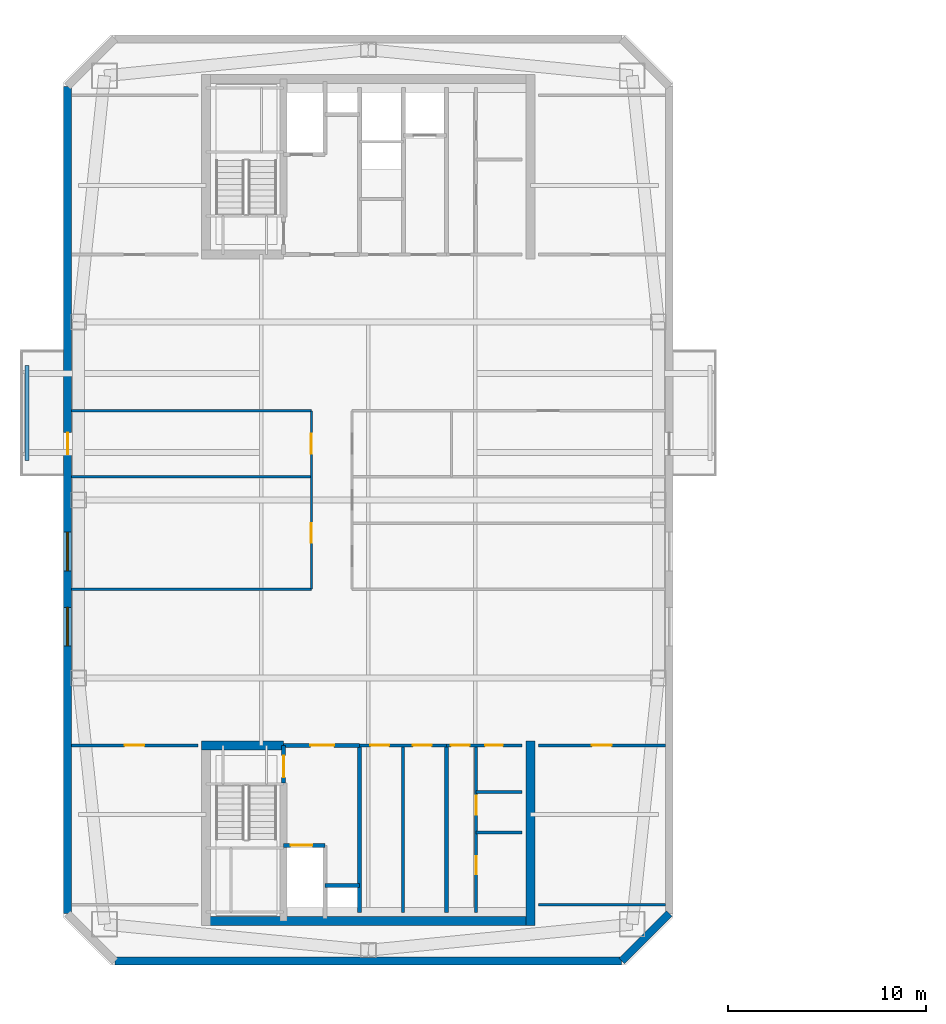
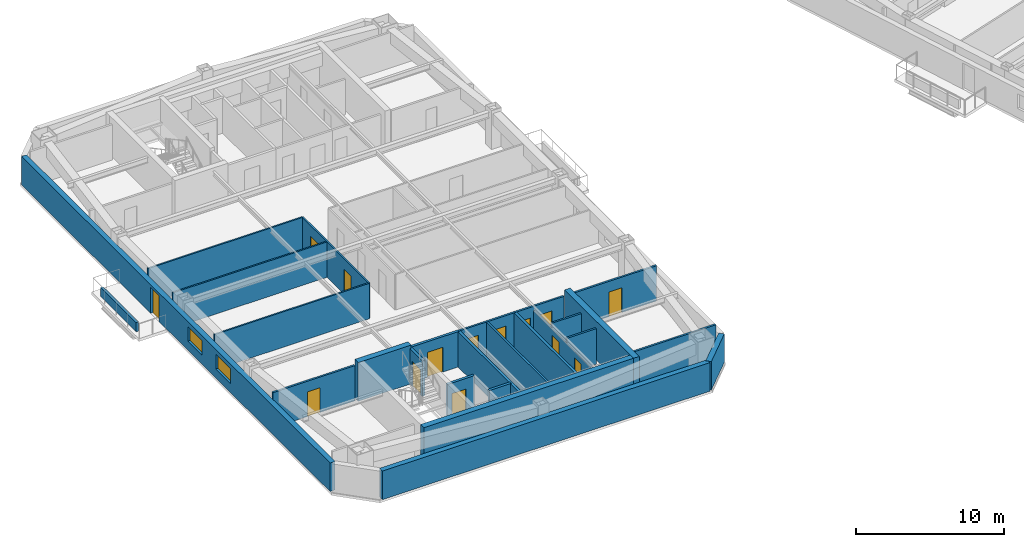
# One storey, part 6 of 16: 26 walls, 14 doors, 2 windows, 16 openings.
"""IFC4 building model written with IfcOpenShell, lengths in metres."""

import ifcopenshell
import ifcopenshell.guid

model = None  # the IFC model being written
_history = None  # IfcOwnerHistory: only IFC2X3 demands one
_inside = {}  # id of a spatial element -> (the spatial element, [elements in it])
_under = {}  # id of a project, library or spatial element -> (it, [spatial elements below it])
_declared = {}  # id of a project -> (the project, [libraries it declares])
_typed = {}  # id of a type object -> (the type object, [elements of that type])
_made_of = {}  # id of a material, layer set ... -> (it, [elements and type objects made of it])


def new_model(schema):
    """Start an empty IFC model of exactly this schema.

    Asked for "IFC4X3", IfcOpenShell would pick the latest addendum, in which some entities
    have other attributes; the version numbers below select the first issue.
    IFC2X3 requires an IfcOwnerHistory on every rooted entity: one is made here for all.
    """
    global model, _history
    if schema == "IFC4X3":
        model = ifcopenshell.file(schema_version=(4, 3, 0, 0))
    else:
        model = ifcopenshell.file(schema=schema)
    _inside.clear()
    _under.clear()
    _declared.clear()
    _typed.clear()
    _made_of.clear()
    _history = None
    if model.schema == "IFC2X3":
        org = make("IfcOrganization", Name="unknown")
        user = make(
            "IfcPersonAndOrganization",
            ThePerson=make("IfcPerson", FamilyName="unknown"),
            TheOrganization=org,
        )
        app = make(
            "IfcApplication",
            ApplicationDeveloper=org,
            Version="unknown",
            ApplicationFullName="unknown",
            ApplicationIdentifier="unknown",
        )
        _history = make(
            "IfcOwnerHistory",
            OwningUser=user,
            OwningApplication=app,
            ChangeAction="ADDED",
            CreationDate=0,
        )
    return model


def make(cls, **values):
    """One entity of the class cls with the attributes given. An attribute that is None is left unset."""
    return model.create_entity(
        cls, **{name: value for name, value in values.items() if value is not None}
    )


def rooted(cls, **values):
    """An entity with a GlobalId (a new one), such as an element, a storey or a relation."""
    return make(cls, GlobalId=ifcopenshell.guid.new(), OwnerHistory=_history, **values)


def si_unit(unit_type, name, prefix=None):
    """IfcSIUnit, for example si_unit("LENGTHUNIT", "METRE", prefix="MILLI")."""
    return make("IfcSIUnit", UnitType=unit_type, Prefix=prefix, Name=name)


def assignment(units):
    """IfcUnitAssignment: the units of a project."""
    return None if units is None else make("IfcUnitAssignment", Units=units)


def point(xyz):
    """IfcCartesianPoint."""
    return None if xyz is None else make("IfcCartesianPoint", Coordinates=xyz)


def direction(xyz):
    """IfcDirection."""
    return None if xyz is None else make("IfcDirection", DirectionRatios=xyz)


def frame(location, z_axis=None, x_axis=None):
    """IfcAxis2Placement3D, a coordinate frame: its origin and axes. An axis left out is left unset."""
    return make(
        "IfcAxis2Placement3D",
        Location=point(location),
        Axis=direction(z_axis),
        RefDirection=direction(x_axis),
    )


def frame_2d(location, x_axis=None):
    """IfcAxis2Placement2D, a coordinate frame in the plane: its origin and x axis."""
    return make(
        "IfcAxis2Placement2D", Location=point(location), RefDirection=direction(x_axis)
    )


def origin():
    """The frame at (0, 0, 0) with its axes left unset."""
    return frame((0.0, 0.0, 0.0))


def place(relative_to, where):
    """IfcLocalPlacement: puts the frame where relative to a parent placement (None: the world)."""
    return make(
        "IfcLocalPlacement", PlacementRelTo=relative_to, RelativePlacement=where
    )


def context(
    kind, dimensions, precision=None, world=None, true_north=None, identifier=None
):
    """IfcGeometricRepresentationContext, for example the 3D "Model" context."""
    return make(
        "IfcGeometricRepresentationContext",
        ContextIdentifier=identifier,
        ContextType=kind,
        CoordinateSpaceDimension=dimensions,
        Precision=precision,
        WorldCoordinateSystem=world,
        TrueNorth=true_north,
    )


def subcontext(parent, identifier, kind, view, scale=None):
    """IfcGeometricRepresentationSubContext, for example "Body" below "Model"."""
    return make(
        "IfcGeometricRepresentationSubContext",
        ContextIdentifier=identifier,
        ContextType=kind,
        ParentContext=parent,
        TargetScale=scale,
        TargetView=view,
    )


def project(units=None, contexts=None):
    """IfcProject with its units and contexts."""
    return rooted(
        "IfcProject",
        Name="project",
        RepresentationContexts=contexts,
        UnitsInContext=assignment(units),
    )


def spatial(cls, under=None, at=None, **own):
    """A site, building, storey or space (cls), placed at a placement, below another one or the project."""
    s = rooted(cls, ObjectPlacement=at, **own)
    if under is not None:
        _under.setdefault(under.id(), (under, []))[1].append(s)
    return s


def profile(cls, at=None, kind="AREA", **sizes):
    """A parametric profile (cls). Its sizes go by their IFC names, for example OverallWidth=200.0."""
    return make(cls, ProfileType=kind, Position=at, **sizes)


def rectangle(**sizes):
    """IfcRectangleProfileDef."""
    return profile("IfcRectangleProfileDef", **sizes)


def extrude(swept, where, along, depth):
    """IfcExtrudedAreaSolid: the profile swept, set in the frame where, extruded along a direction by depth."""
    return make(
        "IfcExtrudedAreaSolid",
        SweptArea=swept,
        Position=where,
        ExtrudedDirection=direction(along),
        Depth=depth,
    )


def shape(context_of_items, identifier, shape_type, items):
    """IfcShapeRepresentation: the items that make up one representation, for example the "Body"."""
    return make(
        "IfcShapeRepresentation",
        ContextOfItems=context_of_items,
        RepresentationIdentifier=identifier,
        RepresentationType=shape_type,
        Items=items,
    )


def material(Name=None, Category=None):
    """IfcMaterial."""
    return make("IfcMaterial", Name=Name, Category=Category)


def layer(
    of_material, thickness, ventilated=None, Name=None, Category=None, Priority=None
):
    """IfcMaterialLayer: one layer of a wall or slab, of a material (None: an air gap)."""
    return make(
        "IfcMaterialLayer",
        Material=of_material,
        LayerThickness=thickness,
        IsVentilated=ventilated,
        Name=Name,
        Category=Category,
        Priority=Priority,
    )


def layer_set(layers, Name=None):
    """IfcMaterialLayerSet."""
    return make("IfcMaterialLayerSet", MaterialLayers=layers, LayerSetName=Name)


def made_of(thing, what):
    """Note that an element or type object is made of a material, layer set ...; save() writes the relation."""
    if what is not None:
        _made_of.setdefault(what.id(), (what, []))[1].append(thing)
    return thing


def type_object(cls, material=None, **own):
    """A type object (cls), such as IfcWallType, which elements share."""
    return made_of(rooted(cls, **own), material)


def element(
    cls,
    number,
    at=None,
    inside=None,
    cuts=None,
    type_object=None,
    material=None,
    context=None,
    identifier="Body",
    shape_type=None,
    held_by="IfcProductDefinitionShape",
    body=None,
    shapes=None,
    **own,
):
    """One element of the class cls, such as IfcWall. Its Tag is "e" and its number.

    at: its placement. inside: the storey or other place that contains it. cuts: it is an
    opening in that element (IfcRelVoidsElement). A single representation is given by context,
    identifier, shape_type and body (its items); several are given by shapes. held_by: the class
    of the entity that holds the representations. save() writes the other relations.
    """
    e = rooted(cls, Tag="e%d" % number, ObjectPlacement=at, **own)
    if body is not None:
        shapes = [shape(context, identifier, shape_type, body)]
    if shapes is not None:
        e.Representation = make(held_by, Representations=shapes)
    if inside is not None:
        _inside.setdefault(inside.id(), (inside, []))[1].append(e)
    if cuts is not None:
        rooted(
            "IfcRelVoidsElement", RelatingBuildingElement=cuts, RelatedOpeningElement=e
        )
    if type_object is not None:
        _typed.setdefault(type_object.id(), (type_object, []))[1].append(e)
    return made_of(e, material)


def fill(opening, filler):
    """IfcRelFillsElement: the door or window that sits in an opening."""
    return rooted(
        "IfcRelFillsElement",
        RelatingOpeningElement=opening,
        RelatedBuildingElement=filler,
    )


def aggregate(whole, parts):
    """IfcRelAggregates: a whole, such as a stair, and the parts it consists of."""
    return rooted("IfcRelAggregates", RelatingObject=whole, RelatedObjects=parts)


def save(model, path):
    """Write the relations noted so far, then the file.

    IfcRelAggregates (storeys below a building ...), IfcRelContainedInSpatialStructure (elements
    in a storey), IfcRelDefinesByType, IfcRelAssociatesMaterial and IfcRelDeclares: one each for
    every whole, place, type object, material and project.
    """
    for whole, parts in _under.values():
        aggregate(whole, parts)
    for where, things in _inside.values():
        rooted(
            "IfcRelContainedInSpatialStructure",
            RelatedElements=things,
            RelatingStructure=where,
        )
    for kind, things in _typed.values():
        rooted("IfcRelDefinesByType", RelatedObjects=things, RelatingType=kind)
    for what, things in _made_of.values():
        rooted("IfcRelAssociatesMaterial", RelatedObjects=things, RelatingMaterial=what)
    for by, libraries in _declared.values():
        rooted("IfcRelDeclares", RelatingContext=by, RelatedDefinitions=libraries)
    model.write(path)


model = new_model("IFC4")

# Units and contexts
model_context = context("Model", 3, precision=1e-05, world=origin(), true_north=direction((0.0, 1.0)))
body_context = subcontext(model_context, "Body", "Model", "MODEL_VIEW")
ifc_project = project(units=[si_unit("LENGTHUNIT", "METRE"), si_unit("AREAUNIT", "SQUARE_METRE"), si_unit("VOLUMEUNIT", "CUBIC_METRE"), si_unit("PLANEANGLEUNIT", "RADIAN"), si_unit("MASSUNIT", "GRAM", prefix="KILO")], contexts=[model_context])

# Site, building, storey
site_placement = place(None, origin())
site = spatial("IfcSite", under=ifc_project, at=site_placement, CompositionType="ELEMENT")
building_placement = place(site_placement, origin())
building = spatial("IfcBuilding", under=site, at=building_placement, Name="Qiaolan Cultural Towers", CompositionType="ELEMENT")
storey_placement = place(building_placement, frame((0.0, 0.0, 240.800048828125)))
storey = spatial("IfcBuildingStorey", under=building, at=storey_placement, Name="L65", CompositionType="ELEMENT", Elevation=240.800048828125)

# Walls
ifc_material_1 = material(Name="Concrete C50", Category="concrete")
ifc_layer_1 = layer(ifc_material_1, 0.449951171875)
ifc_layer_set_1 = layer_set([ifc_layer_1], Name="Concrete C50")
wall_type_1 = type_object("IfcWallType", Name="WL-CORE-450", PredefinedType="SHEAR", material=ifc_layer_set_1)
wall_1_placement = place(storey_placement, frame((21.574951171875, 12.719970703125, 0.0), z_axis=(0.0, 0.0, 1.0), x_axis=(1.0, 0.0, 0.0)))
element("IfcWall", 1, at=wall_1_placement, inside=storey, type_object=wall_type_1, Name="L65 T1-CS Outer Core Shear Wall", PredefinedType="SHEAR", context=body_context, shape_type="SweptSolid", body=[
    extrude(rectangle(XDim=16.85009765625, YDim=0.449951171875, at=frame_2d((8.425048828125, 0.0))), origin(), (0.0, 0.0, 1.0), 3.199951171875),
])
wall_2_placement = place(storey_placement, frame((38.199951171875, 21.824951171875, 0.0), z_axis=(0.0, 0.0, 1.0), x_axis=(0.0, -1.0, 0.0)))
element("IfcWall", 2, at=wall_2_placement, inside=storey, type_object=wall_type_1, Name="L65 T1-CS East Core Shear Wall", PredefinedType="SHEAR", context=body_context, shape_type="SweptSolid", body=[
    extrude(rectangle(XDim=9.329833984375, YDim=0.449951171875, at=frame_2d((4.6650390625, 0.0))), origin(), (0.0, 0.0, 1.0), 3.199951171875),
])
wall_3_placement = place(storey_placement, frame((21.574951171875, 21.60009765625, 0.0), z_axis=(0.0, 0.0, 1.0), x_axis=(1.0, 0.0, 0.0)))
element("IfcWall", 3, at=wall_3_placement, inside=storey, type_object=wall_type_1, Name="L65 T1-CS Stair Front Shear Wall", PredefinedType="SHEAR", context=body_context, shape_type="SweptSolid", body=[
    extrude(rectangle(XDim=4.14501953125, YDim=0.449951171875, at=frame_2d((2.072509765625, 0.0))), origin(), (0.0, 0.0, 1.0), 3.199951171875),
])

# Wall, openings, door, windows
ifc_material_2 = material(Name="Precast Concrete C50 Honed Stone Pier", Category="masonry")
ifc_layer_2 = layer(ifc_material_2, 0.39990234375)
ifc_layer_set_2 = layer_set([ifc_layer_2], Name="Precast Concrete C50 Honed Stone Pier")
wall_type_2 = type_object("IfcWallType", Name="WL-EXT-PIER-400", PredefinedType="SOLIDWALL", material=ifc_layer_set_2)
wall_4_placement = place(storey_placement, frame((14.800048828125, 13.10009765625, 0.0), z_axis=(0.0, 0.0, 1.0), x_axis=(0.0, 1.0, 0.0)))
wall_4 = element("IfcWall", 4, at=wall_4_placement, inside=storey, type_object=wall_type_2, Name="L65 West Tower Precast Pier Facade Wall F1", PredefinedType="SOLIDWALL", context=body_context, shape_type="SweptSolid", body=[
    extrude(rectangle(XDim=41.7998046875, YDim=0.39990234375, at=frame_2d((20.89990234375, 0.0))), origin(), (0.0, 0.0, 1.0), 2.35986328125),
])
opening_1_placement = place(wall_4_placement, frame((13.52490234375, 0.0, 0.75)))
opening_1 = element("IfcOpeningElement", 5, at=opening_1_placement, cuts=wall_4, Name="Opening W-06", PredefinedType="OPENING", context=body_context, shape_type="SweptSolid", body=[
    extrude(rectangle(XDim=1.949951171875, YDim=1.2099609375, at=frame_2d((0.97509765625, 0.60498046875))), frame((0.0, 0.2099609375, 0.0), z_axis=(0.0, -1.0, 0.0), x_axis=(1.0, 0.0, 0.0)), (0.0, 0.0, 1.0), 0.419921875),
])
opening_2_placement = place(wall_4_placement, frame((17.324951171875, 0.0, 0.75)))
opening_2 = element("IfcOpeningElement", 6, at=opening_2_placement, cuts=wall_4, Name="Opening W-06", PredefinedType="OPENING", context=body_context, shape_type="SweptSolid", body=[
    extrude(rectangle(XDim=1.949951171875, YDim=1.2099609375, at=frame_2d((0.97509765625, 0.60498046875))), frame((0.0, 0.2099609375, 0.0), z_axis=(0.0, -1.0, 0.0), x_axis=(1.0, 0.0, 0.0)), (0.0, 0.0, 1.0), 0.419921875),
])
opening_3_placement = place(wall_4_placement, frame((23.199951171875, 0.0, 0.0)))
opening_3 = element("IfcOpeningElement", 7, at=opening_3_placement, cuts=wall_4, Name="Opening BD-01", PredefinedType="OPENING", context=body_context, shape_type="SweptSolid", body=[
    extrude(rectangle(XDim=1.10009765625, YDim=2.14990234375, at=frame_2d((0.550048828125, 1.074951171875))), frame((0.0, 0.2099609375, 0.0), z_axis=(0.0, -1.0, 0.0), x_axis=(1.0, 0.0, 0.0)), (0.0, 0.0, 1.0), 0.419921875),
])
ifc_material_3 = material(Name="Thermally Broken Aluminium Glazed Terrace Door", Category="aluminium")
door_type_1 = type_object("IfcDoorType", Name="DR-BAL-1100", OperationType="NOTDEFINED", PredefinedType="DOOR", material=ifc_material_3)
door_1_placement = place(opening_3_placement, origin())
door_1 = element("IfcDoor", 8, at=door_1_placement, inside=storey, type_object=door_type_1, Name="L65 T1 West Tree Balcony Door", OperationType="SINGLE_SWING_LEFT", OverallHeight=2.14990234375, OverallWidth=1.10009765625, PredefinedType="DOOR", context=body_context, shape_type="SweptSolid", body=[
    extrude(rectangle(XDim=1.10009765625, YDim=2.14990234375, at=frame_2d((0.550048828125, 1.074951171875))), frame((0.0, 0.02490234375, 0.0), z_axis=(0.0, -1.0, 0.0), x_axis=(1.0, 0.0, 0.0)), (0.0, 0.0, 1.0), 0.050048828125),
])
fill(opening_3, door_1)
ifc_material_4 = material(Name="Thermally Broken Aluminium Triple Low-E Glazing", Category="aluminium")
window_type = type_object("IfcWindowType", Name="WN-CHIC-1950", PartitioningType="SINGLE_PANEL", PredefinedType="WINDOW", material=ifc_material_4)
window_1_placement = place(opening_1_placement, origin())
window_1 = element("IfcWindow", 9, at=window_1_placement, inside=storey, type_object=window_type, Name="L65 T1 W Chicago Bay Window 1", OverallHeight=1.2099609375, OverallWidth=1.949951171875, PartitioningType="TRIPLE_PANEL_VERTICAL", PredefinedType="WINDOW", context=body_context, shape_type="SweptSolid", body=[
    extrude(rectangle(XDim=1.949951171875, YDim=1.2099609375, at=frame_2d((0.97509765625, 0.60498046875))), frame((0.0, 0.030029296875, 0.0), z_axis=(0.0, -1.0, 0.0), x_axis=(1.0, 0.0, 0.0)), (0.0, 0.0, 1.0), 0.06005859375),
])
fill(opening_1, window_1)
window_2_placement = place(opening_2_placement, origin())
window_2 = element("IfcWindow", 10, at=window_2_placement, inside=storey, type_object=window_type, Name="L65 T1 W Chicago Bay Window 2", OverallHeight=1.2099609375, OverallWidth=1.949951171875, PartitioningType="TRIPLE_PANEL_VERTICAL", PredefinedType="WINDOW", context=body_context, shape_type="SweptSolid", body=[
    extrude(rectangle(XDim=1.949951171875, YDim=1.2099609375, at=frame_2d((0.97509765625, 0.60498046875))), frame((0.0, 0.030029296875, 0.0), z_axis=(0.0, -1.0, 0.0), x_axis=(1.0, 0.0, 0.0)), (0.0, 0.0, 1.0), 0.06005859375),
])
fill(opening_2, window_2)

# Walls
wall_5_placement = place(storey_placement, frame((45.199951171875, 13.10009765625, 0.0), z_axis=(0.0, 0.0, 1.0), x_axis=(-0.707070815327, -0.707142745217, 0.0)))
element("IfcWall", 11, at=wall_5_placement, inside=storey, type_object=wall_type_2, Name="L65 West Tower Precast Pier Facade Wall F6", PredefinedType="SOLIDWALL", context=body_context, shape_type="SweptSolid", body=[
    extrude(rectangle(XDim=3.39404296875, YDim=0.39990234375, at=frame_2d((1.697021484375, 0.0))), origin(), (0.0, 0.0, 1.0), 2.35986328125),
])
wall_6_placement = place(storey_placement, frame((42.800048828125, 10.699951171875, 0.0), z_axis=(0.0, 0.0, 1.0), x_axis=(-1.0, 0.0, 0.0)))
element("IfcWall", 12, at=wall_6_placement, inside=storey, type_object=wall_type_2, Name="L65 West Tower Precast Pier Facade Wall F7", PredefinedType="SOLIDWALL", context=body_context, shape_type="SweptSolid", body=[
    extrude(rectangle(XDim=25.60009765625, YDim=0.39990234375, at=frame_2d((12.800048828125, 0.0))), origin(), (0.0, 0.0, 1.0), 2.35986328125),
])

# Wall, opening, door
ifc_material_5 = material(Name="Concrete C35 Fire Wall", Category="concrete")
ifc_layer_3 = layer(ifc_material_5, 0.199951171875)
ifc_layer_set_3 = layer_set([ifc_layer_3], Name="Concrete C35 Fire Wall")
wall_type_3 = type_object("IfcWallType", Name="WL-FIRE-200", PredefinedType="PARTITIONING", material=ifc_layer_set_3)
wall_7_placement = place(storey_placement, frame((25.719970703125, 21.60009765625, 0.0), z_axis=(0.0, 0.0, 1.0), x_axis=(0.0, -1.0, 0.0)))
wall_7 = element("IfcWall", 13, at=wall_7_placement, inside=storey, type_object=wall_type_3, Name="L65 T1-CS Smokeproof Stair Entry Wall", PredefinedType="PARTITIONING", context=body_context, shape_type="SweptSolid", body=[
    extrude(rectangle(XDim=1.900146484375, YDim=0.199951171875, at=frame_2d((0.9501953125, 0.0))), origin(), (0.0, 0.0, 1.0), 2.925048828125),
])
opening_4_placement = place(wall_7_placement, frame((0.52001953125, 0.0, 0.0)))
opening_4 = element("IfcOpeningElement", 14, at=opening_4_placement, cuts=wall_7, Name="Opening FD-04", PredefinedType="OPENING", context=body_context, shape_type="SweptSolid", body=[
    extrude(rectangle(XDim=1.10009765625, YDim=2.050048828125, at=frame_2d((0.550048828125, 1.02490234375))), frame((0.0, 0.10986328125, 0.0), z_axis=(0.0, -1.0, 0.0), x_axis=(1.0, 0.0, 0.0)), (0.0, 0.0, 1.0), 0.219970703125),
])
ifc_material_6 = material(Name="Galvanized Steel Command Fire Door", Category="steel")
door_type_2 = type_object("IfcDoorType", Name="DR-FD90-1100", OperationType="NOTDEFINED", PredefinedType="DOOR", material=ifc_material_6)
door_2_placement = place(opening_4_placement, origin())
door_2 = element("IfcDoor", 15, at=door_2_placement, inside=storey, type_object=door_type_2, Name="L65 ST-W1 Smokeproof Stair Fire Door", OperationType="SINGLE_SWING_LEFT", OverallHeight=2.050048828125, OverallWidth=1.10009765625, PredefinedType="DOOR", context=body_context, shape_type="SweptSolid", body=[
    extrude(rectangle(XDim=1.10009765625, YDim=2.050048828125, at=frame_2d((0.550048828125, 1.02490234375))), frame((0.0, 0.02490234375, 0.0), z_axis=(0.0, -1.0, 0.0), x_axis=(1.0, 0.0, 0.0)), (0.0, 0.0, 1.0), 0.050048828125),
])
fill(opening_4, door_2)

# Wall
wall_8_placement = place(storey_placement, frame((29.550048828125, 21.60009765625, 0.0), z_axis=(0.0, 0.0, 1.0), x_axis=(0.0, -1.0, 0.0)))
element("IfcWall", 16, at=wall_8_placement, inside=storey, type_object=wall_type_3, Name="L65 T1-CS Firefighting Zone Wall", PredefinedType="PARTITIONING", context=body_context, shape_type="SweptSolid", body=[
    extrude(rectangle(XDim=8.43017578125, YDim=0.199951171875, at=frame_2d((4.215087890625, 0.0))), origin(), (0.0, 0.0, 1.0), 2.925048828125),
])

# Wall, opening, door
wall_9_placement = place(storey_placement, frame((25.719970703125, 21.60009765625, 0.0), z_axis=(0.0, 0.0, 1.0), x_axis=(1.0, 0.0, 0.0)))
wall_9 = element("IfcWall", 17, at=wall_9_placement, inside=storey, type_object=wall_type_3, Name="L65 T1-CS Firefighting Lobby Front Wall", PredefinedType="PARTITIONING", context=body_context, shape_type="SweptSolid", body=[
    extrude(rectangle(XDim=3.830078125, YDim=0.199951171875, at=frame_2d((1.9150390625, 0.0))), origin(), (0.0, 0.0, 1.0), 2.925048828125),
])
opening_5_placement = place(wall_9_placement, frame((1.35009765625, 0.0, 0.0)))
opening_5 = element("IfcOpeningElement", 18, at=opening_5_placement, cuts=wall_9, Name="Opening FD-03", PredefinedType="OPENING", context=body_context, shape_type="SweptSolid", body=[
    extrude(rectangle(XDim=1.199951171875, YDim=2.050048828125, at=frame_2d((0.60009765625, 1.02490234375))), frame((0.0, 0.10986328125, 0.0), z_axis=(0.0, -1.0, 0.0), x_axis=(1.0, 0.0, 0.0)), (0.0, 0.0, 1.0), 0.219970703125),
])
ifc_material_7 = material(Name="Galvanized Steel Smokeproof Lobby Fire Door", Category="steel")
door_type_3 = type_object("IfcDoorType", Name="DR-FD90-1200", OperationType="NOTDEFINED", PredefinedType="DOOR", material=ifc_material_7)
door_3_placement = place(opening_5_placement, origin())
door_3 = element("IfcDoor", 19, at=door_3_placement, inside=storey, type_object=door_type_3, Name="L65 FFL-W1 Firefighting Lobby Fire Door", OperationType="SINGLE_SWING_LEFT", OverallHeight=2.050048828125, OverallWidth=1.199951171875, PredefinedType="DOOR", context=body_context, shape_type="SweptSolid", body=[
    extrude(rectangle(XDim=1.199951171875, YDim=2.050048828125, at=frame_2d((0.60009765625, 1.02490234375))), frame((0.0, 0.02490234375, 0.0), z_axis=(0.0, -1.0, 0.0), x_axis=(1.0, 0.0, 0.0)), (0.0, 0.0, 1.0), 0.050048828125),
])
fill(opening_5, door_3)

wall_10_placement = place(storey_placement, frame((25.719970703125, 16.550048828125, 0.0), z_axis=(0.0, 0.0, 1.0), x_axis=(1.0, 0.0, 0.0)))
wall_10 = element("IfcWall", 20, at=wall_10_placement, inside=storey, type_object=wall_type_3, Name="L65 T1-CS Firefighting Shaft Front Wall", PredefinedType="PARTITIONING", context=body_context, shape_type="SweptSolid", body=[
    extrude(rectangle(XDim=2.10009765625, YDim=0.199951171875, at=frame_2d((1.050048828125, 0.0))), origin(), (0.0, 0.0, 1.0), 2.925048828125),
])
opening_6_placement = place(wall_10_placement, frame((0.35009765625, 0.0, 0.0)))
opening_6 = element("IfcOpeningElement", 21, at=opening_6_placement, cuts=wall_10, Name="Opening LD-01", PredefinedType="OPENING", context=body_context, shape_type="SweptSolid", body=[
    extrude(rectangle(XDim=1.10009765625, YDim=2.050048828125, at=frame_2d((0.550048828125, 1.02490234375))), frame((0.0, 0.10986328125, 0.0), z_axis=(0.0, -1.0, 0.0), x_axis=(1.0, 0.0, 0.0)), (0.0, 0.0, 1.0), 0.219970703125),
])
ifc_material_8 = material(Name="Brushed Stainless Steel S30408 Centre-Parting Lift Landing Door", Category="steel")
door_type_4 = type_object("IfcDoorType", Name="DR-LIFT-1100", OperationType="NOTDEFINED", PredefinedType="DOOR", material=ifc_material_8)
door_4_placement = place(opening_6_placement, origin())
door_4 = element("IfcDoor", 22, at=door_4_placement, inside=storey, type_object=door_type_4, Name="L65 FFL-W1 Firefighting Lift Landing Door", OperationType="DOUBLE_DOOR_SLIDING", OverallHeight=2.050048828125, OverallWidth=1.10009765625, PredefinedType="DOOR", context=body_context, shape_type="SweptSolid", body=[
    extrude(rectangle(XDim=1.10009765625, YDim=2.050048828125, at=frame_2d((0.550048828125, 1.02490234375))), frame((0.0, 0.02490234375, 0.0), z_axis=(0.0, -1.0, 0.0), x_axis=(1.0, 0.0, 0.0)), (0.0, 0.0, 1.0), 0.050048828125),
])
fill(opening_6, door_4)

# Walls
wall_11_placement = place(storey_placement, frame((27.820068359375, 14.52001953125, 0.0), z_axis=(0.0, 0.0, 1.0), x_axis=(1.0, 0.0, 0.0)))
element("IfcWall", 23, at=wall_11_placement, inside=storey, type_object=wall_type_3, Name="L65 T1-CS Pressurization Shaft Front Wall", PredefinedType="PARTITIONING", context=body_context, shape_type="SweptSolid", body=[
    extrude(rectangle(XDim=1.72998046875, YDim=0.199951171875, at=frame_2d((0.864990234375, 0.0))), origin(), (0.0, 0.0, 1.0), 2.925048828125),
])
wall_12_placement = place(storey_placement, frame((33.949951171875, 21.60009765625, 0.0), z_axis=(0.0, 0.0, 1.0), x_axis=(0.0, -1.0, 0.0)))
element("IfcWall", 24, at=wall_12_placement, inside=storey, type_object=wall_type_3, Name="L65 T1-CS Lift Core East Wall", PredefinedType="PARTITIONING", context=body_context, shape_type="SweptSolid", body=[
    extrude(rectangle(XDim=8.43017578125, YDim=0.199951171875, at=frame_2d((4.215087890625, 0.0))), origin(), (0.0, 0.0, 1.0), 2.925048828125),
])
ifc_material_9 = material(Name="Gypsum Stud Acoustic Partition", Category="gypsum")
ifc_layer_4 = layer(ifc_material_9, 0.1201171875)
ifc_layer_set_4 = layer_set([ifc_layer_4], Name="Gypsum Stud Acoustic Partition")
wall_type_4 = type_object("IfcWallType", Name="WL-PART-120", PredefinedType="PARTITIONING", material=ifc_layer_set_4)
for number, where, z_axis, x_axis, name in (
    (25, (15.0, 29.5, 0.0), (0.0, 0.0, 1.0), (1.0, 0.0, 0.0), "L65 T1 South Foyer West Wall"),
    (26, (15.0, 38.5, 0.0), (0.0, 0.0, 1.0), (1.0, 0.0, 0.0), "L65 T1 North Foyer West Wall"),
):
    element("IfcWall", number, at=place(storey_placement, frame(where, z_axis=z_axis, x_axis=x_axis)), inside=storey, type_object=wall_type_4, Name=name, PredefinedType="PARTITIONING", context=body_context, shape_type="SweptSolid", body=[
        extrude(rectangle(XDim=12.125, YDim=0.1201171875, at=frame_2d((6.0625, 0.0))), origin(), (0.0, 0.0, 1.0), 2.925048828125),
    ])

# Wall, openings, doors
wall_13_placement = place(storey_placement, frame((27.125, 29.5, 0.0), z_axis=(0.0, 0.0, 1.0), x_axis=(0.0, 1.0, 0.0)))
wall_13 = element("IfcWall", 27, at=wall_13_placement, inside=storey, type_object=wall_type_4, Name="L65 T1 Central Spine West Wall", PredefinedType="PARTITIONING", context=body_context, shape_type="SweptSolid", body=[
    extrude(rectangle(XDim=9.0, YDim=0.1201171875, at=frame_2d((4.5, 0.0))), origin(), (0.0, 0.0, 1.0), 2.925048828125),
])
opening_7_placement = place(wall_13_placement, frame((2.3349609375, 0.0, 0.0)))
opening_7 = element("IfcOpeningElement", 28, at=opening_7_placement, cuts=wall_13, Name="Opening ID-04", PredefinedType="OPENING", context=body_context, shape_type="SweptSolid", body=[
    extrude(rectangle(XDim=1.0, YDim=2.050048828125, at=frame_2d((0.5, 1.02490234375))), frame((0.0, 0.070068359375, 0.0), z_axis=(0.0, -1.0, 0.0), x_axis=(1.0, 0.0, 0.0)), (0.0, 0.0, 1.0), 0.14013671875),
])
opening_8_placement = place(wall_13_placement, frame((6.8349609375, 0.0, 0.0)))
opening_8 = element("IfcOpeningElement", 29, at=opening_8_placement, cuts=wall_13, Name="Opening ID-04", PredefinedType="OPENING", context=body_context, shape_type="SweptSolid", body=[
    extrude(rectangle(XDim=1.0, YDim=2.050048828125, at=frame_2d((0.5, 1.02490234375))), frame((0.0, 0.070068359375, 0.0), z_axis=(0.0, -1.0, 0.0), x_axis=(1.0, 0.0, 0.0)), (0.0, 0.0, 1.0), 0.14013671875),
])
ifc_material_10 = material(Name="Oak Veneer Acoustic Office Door", Category="timber")
door_type_5 = type_object("IfcDoorType", Name="DR-INT-1000", OperationType="NOTDEFINED", PredefinedType="DOOR", material=ifc_material_10)
door_5_placement = place(opening_7_placement, origin())
door_5 = element("IfcDoor", 30, at=door_5_placement, inside=storey, type_object=door_type_5, Name="L65 T1 Presidential Conference Room Door", OperationType="SINGLE_SWING_LEFT", OverallHeight=2.050048828125, OverallWidth=1.0, PredefinedType="DOOR", context=body_context, shape_type="SweptSolid", body=[
    extrude(rectangle(XDim=1.0, YDim=2.050048828125, at=frame_2d((0.5, 1.02490234375))), frame((0.0, 0.02490234375, 0.0), z_axis=(0.0, -1.0, 0.0), x_axis=(1.0, 0.0, 0.0)), (0.0, 0.0, 1.0), 0.050048828125),
])
fill(opening_7, door_5)
door_6_placement = place(opening_8_placement, origin())
door_6 = element("IfcDoor", 31, at=door_6_placement, inside=storey, type_object=door_type_5, Name="L65 T1 Diplomatic Lounge Door", OperationType="SINGLE_SWING_RIGHT", OverallHeight=2.050048828125, OverallWidth=1.0, PredefinedType="DOOR", context=body_context, shape_type="SweptSolid", body=[
    extrude(rectangle(XDim=1.0, YDim=2.050048828125, at=frame_2d((0.5, 1.02490234375))), frame((0.0, 0.02490234375, 0.0), z_axis=(0.0, -1.0, 0.0), x_axis=(1.0, 0.0, 0.0)), (0.0, 0.0, 1.0), 0.050048828125),
])
fill(opening_8, door_6)

# Wall
wall_14_placement = place(storey_placement, frame((15.0, 35.169921875, 0.0), z_axis=(0.0, 0.0, 1.0), x_axis=(1.0, 0.0, 0.0)))
element("IfcWall", 32, at=wall_14_placement, inside=storey, type_object=wall_type_4, Name="L65 T1 Interior Wall", PredefinedType="PARTITIONING", context=body_context, shape_type="SweptSolid", body=[
    extrude(rectangle(XDim=12.125, YDim=0.1201171875, at=frame_2d((6.0625, 0.0))), origin(), (0.0, 0.0, 1.0), 2.925048828125),
])

# Wall, openings, doors
ifc_material_11 = material(Name="Autoclaved Aerated Concrete Block B06", Category="concrete")
ifc_layer_5 = layer(ifc_material_11, 0.14990234375)
ifc_layer_set_5 = layer_set([ifc_layer_5], Name="Autoclaved Aerated Concrete Block B06")
wall_type_5 = type_object("IfcWallType", Name="WL-PART-150", PredefinedType="PARTITIONING", material=ifc_layer_set_5)
wall_15_placement = place(storey_placement, frame((29.550048828125, 21.60009765625, 0.0), z_axis=(0.0, 0.0, 1.0), x_axis=(1.0, 0.0, 0.0)))
wall_15 = element("IfcWall", 33, at=wall_15_placement, inside=storey, type_object=wall_type_5, Name="L65 T1-CS Reclaimed Core Room Front Wall", PredefinedType="PARTITIONING", context=body_context, shape_type="SweptSolid", body=[
    extrude(rectangle(XDim=4.39990234375, YDim=0.14990234375, at=frame_2d((2.199951171875, 0.0))), origin(), (0.0, 0.0, 1.0), 2.925048828125),
])
opening_9_placement = place(wall_15_placement, frame((0.550048828125, 0.0, 0.0)))
opening_9 = element("IfcOpeningElement", 34, at=opening_9_placement, cuts=wall_15, Name="Opening ID-05", PredefinedType="OPENING", context=body_context, shape_type="SweptSolid", body=[
    extrude(rectangle(XDim=0.949951171875, YDim=2.050048828125, at=frame_2d((0.47509765625, 1.02490234375))), frame((0.0, 0.0849609375, 0.0), z_axis=(0.0, -1.0, 0.0), x_axis=(1.0, 0.0, 0.0)), (0.0, 0.0, 1.0), 0.169921875),
])
opening_10_placement = place(wall_15_placement, frame((2.699951171875, 0.0, 0.0)))
opening_10 = element("IfcOpeningElement", 35, at=opening_10_placement, cuts=wall_15, Name="Opening ID-05", PredefinedType="OPENING", context=body_context, shape_type="SweptSolid", body=[
    extrude(rectangle(XDim=0.949951171875, YDim=2.050048828125, at=frame_2d((0.47509765625, 1.02490234375))), frame((0.0, 0.0849609375, 0.0), z_axis=(0.0, -1.0, 0.0), x_axis=(1.0, 0.0, 0.0)), (0.0, 0.0, 1.0), 0.169921875),
])
ifc_material_12 = material(Name="Fire-Rated Laminate Accessible Core Door", Category="timber")
door_type_6 = type_object("IfcDoorType", Name="DR-INT-950", OperationType="NOTDEFINED", PredefinedType="DOOR", material=ifc_material_12)
door_7_placement = place(opening_9_placement, origin())
door_7 = element("IfcDoor", 36, at=door_7_placement, inside=storey, type_object=door_type_6, Name="L65 Copy Print Room Door", OperationType="SINGLE_SWING_LEFT", OverallHeight=2.050048828125, OverallWidth=0.949951171875, PredefinedType="DOOR", context=body_context, shape_type="SweptSolid", body=[
    extrude(rectangle(XDim=0.949951171875, YDim=2.050048828125, at=frame_2d((0.47509765625, 1.02490234375))), frame((0.0, 0.02490234375, 0.0), z_axis=(0.0, -1.0, 0.0), x_axis=(1.0, 0.0, 0.0)), (0.0, 0.0, 1.0), 0.050048828125),
])
fill(opening_9, door_7)
door_8_placement = place(opening_10_placement, origin())
door_8 = element("IfcDoor", 37, at=door_8_placement, inside=storey, type_object=door_type_6, Name="L65 Tea Pantry Room Door", OperationType="SINGLE_SWING_RIGHT", OverallHeight=2.050048828125, OverallWidth=0.949951171875, PredefinedType="DOOR", context=body_context, shape_type="SweptSolid", body=[
    extrude(rectangle(XDim=0.949951171875, YDim=2.050048828125, at=frame_2d((0.47509765625, 1.02490234375))), frame((0.0, 0.02490234375, 0.0), z_axis=(0.0, -1.0, 0.0), x_axis=(1.0, 0.0, 0.0)), (0.0, 0.0, 1.0), 0.050048828125),
])
fill(opening_10, door_8)

# Wall
wall_16_placement = place(storey_placement, frame((31.75, 21.60009765625, 0.0), z_axis=(0.0, 0.0, 1.0), x_axis=(0.0, -1.0, 0.0)))
element("IfcWall", 38, at=wall_16_placement, inside=storey, type_object=wall_type_5, Name="L65 T1-CS Reclaimed Twin Room Wall", PredefinedType="PARTITIONING", context=body_context, shape_type="SweptSolid", body=[
    extrude(rectangle(XDim=8.43017578125, YDim=0.14990234375, at=frame_2d((4.215087890625, 0.0))), origin(), (0.0, 0.0, 1.0), 2.925048828125),
])

# Wall, openings, doors
wall_17_placement = place(storey_placement, frame((33.949951171875, 21.60009765625, 0.0), z_axis=(0.0, 0.0, 1.0), x_axis=(1.0, 0.0, 0.0)))
wall_17 = element("IfcWall", 39, at=wall_17_placement, inside=storey, type_object=wall_type_5, Name="L65 T1-CS Sanitary Core Front Wall", PredefinedType="PARTITIONING", context=body_context, shape_type="SweptSolid", body=[
    extrude(rectangle(XDim=3.800048828125, YDim=0.14990234375, at=frame_2d((1.89990234375, 0.0))), origin(), (0.0, 0.0, 1.0), 2.925048828125),
])
opening_11_placement = place(wall_17_placement, frame((0.219970703125, 0.0, 0.0)))
opening_11 = element("IfcOpeningElement", 40, at=opening_11_placement, cuts=wall_17, Name="Opening ID-05", PredefinedType="OPENING", context=body_context, shape_type="SweptSolid", body=[
    extrude(rectangle(XDim=0.949951171875, YDim=2.050048828125, at=frame_2d((0.47509765625, 1.02490234375))), frame((0.0, 0.0849609375, 0.0), z_axis=(0.0, -1.0, 0.0), x_axis=(1.0, 0.0, 0.0)), (0.0, 0.0, 1.0), 0.169921875),
])
opening_12_placement = place(wall_17_placement, frame((1.949951171875, 0.0, 0.0)))
opening_12 = element("IfcOpeningElement", 41, at=opening_12_placement, cuts=wall_17, Name="Opening ID-06", PredefinedType="OPENING", context=body_context, shape_type="SweptSolid", body=[
    extrude(rectangle(XDim=0.89990234375, YDim=2.050048828125, at=frame_2d((0.449951171875, 1.02490234375))), frame((0.0, 0.0849609375, 0.0), z_axis=(0.0, -1.0, 0.0), x_axis=(1.0, 0.0, 0.0)), (0.0, 0.0, 1.0), 0.169921875),
])
ifc_material_13 = material(Name="Fire-Rated Laminate Core Service Door", Category="timber")
door_type_7 = type_object("IfcDoorType", Name="DR-INT-900", OperationType="NOTDEFINED", PredefinedType="DOOR", material=ifc_material_13)
door_9_placement = place(opening_12_placement, origin())
door_9 = element("IfcDoor", 42, at=door_9_placement, inside=storey, type_object=door_type_7, Name="L65 Core Tea Pantry Door", OperationType="SINGLE_SWING_RIGHT", OverallHeight=2.050048828125, OverallWidth=0.89990234375, PredefinedType="DOOR", context=body_context, shape_type="SweptSolid", body=[
    extrude(rectangle(XDim=0.89990234375, YDim=2.050048828125, at=frame_2d((0.449951171875, 1.02490234375))), frame((0.0, 0.02490234375, 0.0), z_axis=(0.0, -1.0, 0.0), x_axis=(1.0, 0.0, 0.0)), (0.0, 0.0, 1.0), 0.050048828125),
])
fill(opening_12, door_9)
door_10_placement = place(opening_11_placement, origin())
door_10 = element("IfcDoor", 43, at=door_10_placement, inside=storey, type_object=door_type_6, Name="L65 Sanitary Passage Door", OperationType="SINGLE_SWING_LEFT", OverallHeight=2.050048828125, OverallWidth=0.949951171875, PredefinedType="DOOR", context=body_context, shape_type="SweptSolid", body=[
    extrude(rectangle(XDim=0.949951171875, YDim=2.050048828125, at=frame_2d((0.47509765625, 1.02490234375))), frame((0.0, 0.02490234375, 0.0), z_axis=(0.0, -1.0, 0.0), x_axis=(1.0, 0.0, 0.0)), (0.0, 0.0, 1.0), 0.050048828125),
])
fill(opening_11, door_10)

wall_18_placement = place(storey_placement, frame((35.449951171875, 21.60009765625, 0.0), z_axis=(0.0, 0.0, 1.0), x_axis=(0.0, -1.0, 0.0)))
wall_18 = element("IfcWall", 44, at=wall_18_placement, inside=storey, type_object=wall_type_5, Name="L65 T1-CS Sanitary Corridor Wall", PredefinedType="PARTITIONING", context=body_context, shape_type="SweptSolid", body=[
    extrude(rectangle(XDim=8.43017578125, YDim=0.14990234375, at=frame_2d((4.215087890625, 0.0))), origin(), (0.0, 0.0, 1.0), 2.56494140625),
])
opening_13_placement = place(wall_18_placement, frame((2.550048828125, 0.0, 0.0)))
opening_13 = element("IfcOpeningElement", 45, at=opening_13_placement, cuts=wall_18, Name="Opening ID-05", PredefinedType="OPENING", context=body_context, shape_type="SweptSolid", body=[
    extrude(rectangle(XDim=0.949951171875, YDim=2.050048828125, at=frame_2d((0.47509765625, 1.02490234375))), frame((0.0, 0.0849609375, 0.0), z_axis=(0.0, -1.0, 0.0), x_axis=(1.0, 0.0, 0.0)), (0.0, 0.0, 1.0), 0.169921875),
])
opening_14_placement = place(wall_18_placement, frame((5.60009765625, 0.0, 0.0)))
opening_14 = element("IfcOpeningElement", 46, at=opening_14_placement, cuts=wall_18, Name="Opening ID-06", PredefinedType="OPENING", context=body_context, shape_type="SweptSolid", body=[
    extrude(rectangle(XDim=0.89990234375, YDim=2.050048828125, at=frame_2d((0.449951171875, 1.02490234375))), frame((0.0, 0.0849609375, 0.0), z_axis=(0.0, -1.0, 0.0), x_axis=(1.0, 0.0, 0.0)), (0.0, 0.0, 1.0), 0.169921875),
])
door_11_placement = place(opening_14_placement, origin())
door_11 = element("IfcDoor", 47, at=door_11_placement, inside=storey, type_object=door_type_7, Name="L65 Staff Restroom Door", OperationType="SINGLE_SWING_RIGHT", OverallHeight=2.050048828125, OverallWidth=0.89990234375, PredefinedType="DOOR", context=body_context, shape_type="SweptSolid", body=[
    extrude(rectangle(XDim=0.89990234375, YDim=2.050048828125, at=frame_2d((0.449951171875, 1.02490234375))), frame((0.0, 0.02490234375, 0.0), z_axis=(0.0, -1.0, 0.0), x_axis=(1.0, 0.0, 0.0)), (0.0, 0.0, 1.0), 0.050048828125),
])
fill(opening_14, door_11)
door_12_placement = place(opening_13_placement, origin())
door_12 = element("IfcDoor", 48, at=door_12_placement, inside=storey, type_object=door_type_6, Name="L65 Accessible Washroom Door", OperationType="SINGLE_SWING_LEFT", OverallHeight=2.050048828125, OverallWidth=0.949951171875, PredefinedType="DOOR", context=body_context, shape_type="SweptSolid", body=[
    extrude(rectangle(XDim=0.949951171875, YDim=2.050048828125, at=frame_2d((0.47509765625, 1.02490234375))), frame((0.0, 0.02490234375, 0.0), z_axis=(0.0, -1.0, 0.0), x_axis=(1.0, 0.0, 0.0)), (0.0, 0.0, 1.0), 0.050048828125),
])
fill(opening_13, door_12)

# Walls
for number, where, z_axis, x_axis, name in (
    (49, (35.449951171875, 17.199951171875, 0.0), (0.0, 0.0, 1.0), (1.0, 0.0, 0.0), "L65 T1-CS Restroom Split Wall"),
    (50, (35.449951171875, 19.25, 0.0), (0.0, 0.0, 1.0), (1.0, 0.0, 0.0), "L65 T1-CS Core Pantry Wall"),
):
    element("IfcWall", number, at=place(storey_placement, frame(where, z_axis=z_axis, x_axis=x_axis)), inside=storey, type_object=wall_type_5, Name=name, PredefinedType="PARTITIONING", context=body_context, shape_type="SweptSolid", body=[
        extrude(rectangle(XDim=2.300048828125, YDim=0.14990234375, at=frame_2d((1.14990234375, 0.0))), origin(), (0.0, 0.0, 1.0), 2.925048828125),
    ])

# Wall, opening, door
wall_19_placement = place(storey_placement, frame((15.0, 21.60009765625, 0.0), z_axis=(0.0, 0.0, 1.0), x_axis=(1.0, 0.0, 0.0)))
wall_19 = element("IfcWall", 51, at=wall_19_placement, inside=storey, type_object=wall_type_5, Name="L65 T1 Flank Front FLK-SW", PredefinedType="PARTITIONING", context=body_context, shape_type="SweptSolid", body=[
    extrude(rectangle(XDim=6.39990234375, YDim=0.14990234375, at=frame_2d((3.199951171875, 0.0))), origin(), (0.0, 0.0, 1.0), 2.925048828125),
])
opening_15_placement = place(wall_19_placement, frame((2.68798828125, 0.0, 0.0)))
opening_15 = element("IfcOpeningElement", 52, at=opening_15_placement, cuts=wall_19, Name="Opening ID-04", PredefinedType="OPENING", context=body_context, shape_type="SweptSolid", body=[
    extrude(rectangle(XDim=1.0, YDim=2.050048828125, at=frame_2d((0.5, 1.02490234375))), frame((0.0, 0.0849609375, 0.0), z_axis=(0.0, -1.0, 0.0), x_axis=(1.0, 0.0, 0.0)), (0.0, 0.0, 1.0), 0.169921875),
])
door_13_placement = place(opening_15_placement, origin())
door_13 = element("IfcDoor", 53, at=door_13_placement, inside=storey, type_object=door_type_5, Name="L65 T1 Corner Studio Door", OperationType="SINGLE_SWING_LEFT", OverallHeight=2.050048828125, OverallWidth=1.0, PredefinedType="DOOR", context=body_context, shape_type="SweptSolid", body=[
    extrude(rectangle(XDim=1.0, YDim=2.050048828125, at=frame_2d((0.5, 1.02490234375))), frame((0.0, 0.02490234375, 0.0), z_axis=(0.0, -1.0, 0.0), x_axis=(1.0, 0.0, 0.0)), (0.0, 0.0, 1.0), 0.050048828125),
])
fill(opening_15, door_13)

# Wall
wall_20_placement = place(storey_placement, frame((38.60009765625, 13.550048828125, 0.0), z_axis=(0.0, 0.0, 1.0), x_axis=(1.0, 0.0, 0.0)))
element("IfcWall", 54, at=wall_20_placement, inside=storey, type_object=wall_type_5, Name="L65 T1 Flank Wall FLK-SE", PredefinedType="PARTITIONING", context=body_context, shape_type="SweptSolid", body=[
    extrude(rectangle(XDim=6.39990234375, YDim=0.14990234375, at=frame_2d((3.199951171875, 0.0))), origin(), (0.0, 0.0, 1.0), 2.925048828125),
])

# Wall, opening, door
wall_21_placement = place(storey_placement, frame((38.60009765625, 21.60009765625, 0.0), z_axis=(0.0, 0.0, 1.0), x_axis=(1.0, 0.0, 0.0)))
wall_21 = element("IfcWall", 55, at=wall_21_placement, inside=storey, type_object=wall_type_5, Name="L65 T1 Flank Front FLK-SE", PredefinedType="PARTITIONING", context=body_context, shape_type="SweptSolid", body=[
    extrude(rectangle(XDim=6.39990234375, YDim=0.14990234375, at=frame_2d((3.199951171875, 0.0))), origin(), (0.0, 0.0, 1.0), 2.925048828125),
])
opening_16_placement = place(wall_21_placement, frame((2.68798828125, 0.0, 0.0)))
opening_16 = element("IfcOpeningElement", 56, at=opening_16_placement, cuts=wall_21, Name="Opening ID-04", PredefinedType="OPENING", context=body_context, shape_type="SweptSolid", body=[
    extrude(rectangle(XDim=1.0, YDim=2.050048828125, at=frame_2d((0.5, 1.02490234375))), frame((0.0, 0.0849609375, 0.0), z_axis=(0.0, -1.0, 0.0), x_axis=(1.0, 0.0, 0.0)), (0.0, 0.0, 1.0), 0.169921875),
])
door_14_placement = place(opening_16_placement, origin())
door_14 = element("IfcDoor", 57, at=door_14_placement, inside=storey, type_object=door_type_5, Name="L65 T1 Corner Studio Door", OperationType="SINGLE_SWING_LEFT", OverallHeight=2.050048828125, OverallWidth=1.0, PredefinedType="DOOR", context=body_context, shape_type="SweptSolid", body=[
    extrude(rectangle(XDim=1.0, YDim=2.050048828125, at=frame_2d((0.5, 1.02490234375))), frame((0.0, 0.02490234375, 0.0), z_axis=(0.0, -1.0, 0.0), x_axis=(1.0, 0.0, 0.0)), (0.0, 0.0, 1.0), 0.050048828125),
])
fill(opening_16, door_14)

# Wall
ifc_material_14 = material(Name="Precast Concrete C45 Tree Planter Upstand", Category="concrete")
ifc_layer_6 = layer(ifc_material_14, 0.199951171875)
ifc_layer_set_6 = layer_set([ifc_layer_6], Name="Precast Concrete C45 Tree Planter Upstand")
wall_type_6 = type_object("IfcWallType", Name="WL-PLANTER-200", PredefinedType="PARAPET", material=ifc_layer_set_6)
wall_22_placement = place(storey_placement, frame((12.75, 36.0, 0.0), z_axis=(0.0, 0.0, 1.0), x_axis=(0.0, 1.0, 0.0)))
element("IfcWall", 58, at=wall_22_placement, inside=storey, type_object=wall_type_6, Name="L65 T1 Tree Balcony Soil Planter Box W", PredefinedType="PARAPET", context=body_context, shape_type="SweptSolid", body=[
    extrude(rectangle(XDim=4.800048828125, YDim=0.199951171875, at=frame_2d((2.39990234375, 0.0))), origin(), (0.0, 0.0, 1.0), 0.75),
])

save(model, "model.ifc")
